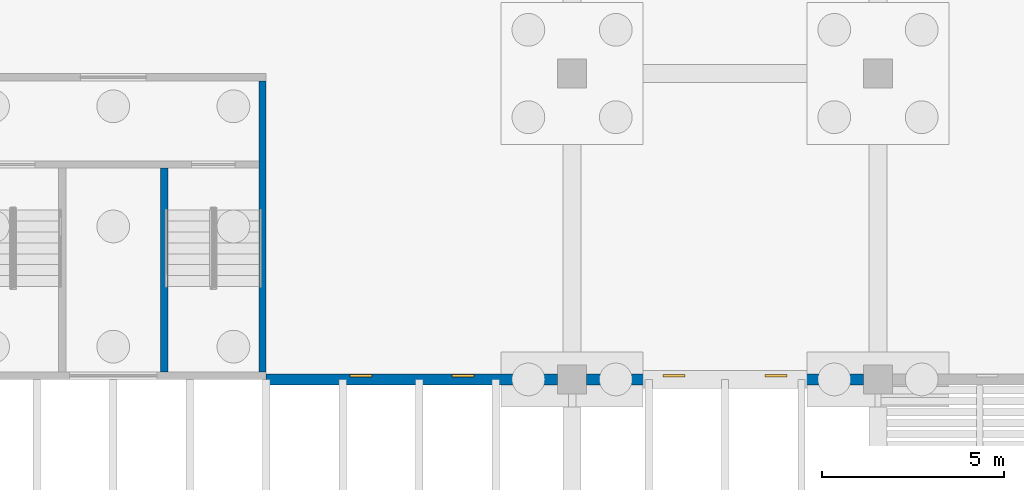
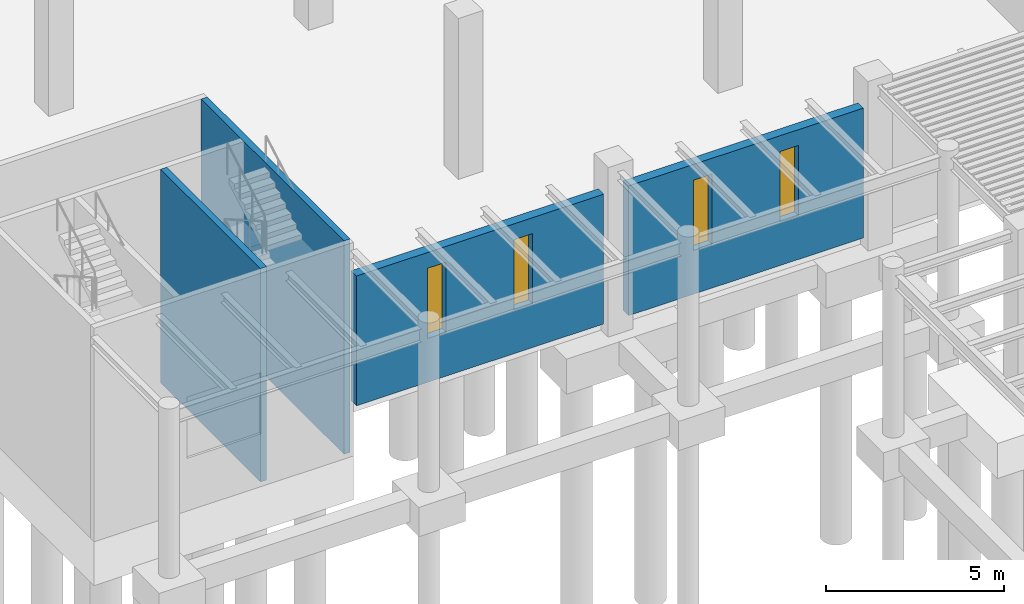
# One storey, part 31 of 82: 4 walls, 4 windows, 4 openings.
"""IFC4 building model written with IfcOpenShell, lengths in metres."""

from ifc_helpers import new_model, si_unit, direction, frame, frame_2d, origin, place, context, subcontext, project, spatial, rectangle, extrude, material, layer, layer_set, type_object, element, fill, save


model = new_model("IFC4")

# Units and contexts
model_context = context("Model", 3, precision=1e-05, world=origin(), true_north=direction((0.0, 1.0)))
body_context = subcontext(model_context, "Body", "Model", "MODEL_VIEW")
ifc_project = project(units=[si_unit("LENGTHUNIT", "METRE"), si_unit("AREAUNIT", "SQUARE_METRE"), si_unit("VOLUMEUNIT", "CUBIC_METRE"), si_unit("PLANEANGLEUNIT", "RADIAN"), si_unit("MASSUNIT", "GRAM", prefix="KILO")], contexts=[model_context])

# Site, building, storey
site_placement = place(None, origin())
site = spatial("IfcSite", under=ifc_project, at=site_placement, CompositionType="ELEMENT")
building_placement = place(site_placement, origin())
building = spatial("IfcBuilding", under=site, at=building_placement, Name="Almond Square Museum", CompositionType="ELEMENT")
storey_placement = place(building_placement, origin())
storey = spatial("IfcBuildingStorey", under=building, at=storey_placement, Name="L00", CompositionType="ELEMENT", Elevation=0.0)

# Wall, openings, windows
ifc_material_1 = material(Name="Concrete C30/37", Category="concrete")
ifc_layer_1 = layer(ifc_material_1, 0.300048828125)
ifc_layer_set_1 = layer_set([ifc_layer_1], Name="Concrete C30/37")
wall_type_1 = type_object("IfcWallType", Name="Cast concrete wall 300 C30/37 behind louvre skin", PredefinedType="SOLIDWALL", material=ifc_layer_set_1)
wall_1_placement = place(storey_placement, frame((115.199951171875, 50.39990234375, 0.0), z_axis=(0.0, 0.0, 1.0), x_axis=(1.0, 0.0, 0.0)))
wall_1 = element("IfcWall", 1, at=wall_1_placement, inside=storey, type_object=wall_type_1, Name="External wall W1 V1 L00 S01", PredefinedType="SOLIDWALL", context=body_context, shape_type="SweptSolid", body=[
    extrude(rectangle(XDim=8.0, YDim=0.300048828125, at=frame_2d((4.0, 0.0))), origin(), (0.0, 0.0, 1.0), 4.43994140625),
])
opening_1_placement = place(wall_1_placement, frame((2.300048828125, 0.0, 1.5)))
opening_1 = element("IfcOpeningElement", 2, at=opening_1_placement, cuts=wall_1, Name="Opening W0061", PredefinedType="OPENING", context=body_context, shape_type="SweptSolid", body=[
    extrude(rectangle(XDim=0.60009765625, YDim=2.39990234375, at=frame_2d((0.300048828125, 1.199951171875))), frame((0.0, 0.159912109375, 0.0), z_axis=(0.0, -1.0, 0.0), x_axis=(1.0, 0.0, 0.0)), (0.0, 0.0, 1.0), 0.320068359375),
])
opening_2_placement = place(wall_1_placement, frame((5.10009765625, 0.0, 1.5)))
opening_2 = element("IfcOpeningElement", 3, at=opening_2_placement, cuts=wall_1, Name="Opening W0062", PredefinedType="OPENING", context=body_context, shape_type="SweptSolid", body=[
    extrude(rectangle(XDim=0.60009765625, YDim=2.39990234375, at=frame_2d((0.300048828125, 1.199951171875))), frame((0.0, 0.159912109375, 0.0), z_axis=(0.0, -1.0, 0.0), x_axis=(1.0, 0.0, 0.0)), (0.0, 0.0, 1.0), 0.320068359375),
])
ifc_material_2 = material(Name="Anodised aluminium louvre and laminated glass", Category="aluminium")
window_type = type_object("IfcWindowType", Name="Slot window with storm louvre", PartitioningType="SINGLE_PANEL", PredefinedType="WINDOW", material=ifc_material_2)
window_1_placement = place(opening_1_placement, origin())
window_1 = element("IfcWindow", 4, at=window_1_placement, inside=storey, type_object=window_type, Name="Slot window with storm louvre W0061", OverallHeight=2.39990234375, OverallWidth=0.60009765625, PartitioningType="SINGLE_PANEL", PredefinedType="WINDOW", context=body_context, shape_type="SweptSolid", body=[
    extrude(rectangle(XDim=0.60009765625, YDim=2.39990234375, at=frame_2d((0.300048828125, 1.199951171875))), frame((0.0, 0.130126953125, 0.0), z_axis=(0.0, -1.0, 0.0), x_axis=(1.0, 0.0, 0.0)), (0.0, 0.0, 1.0), 0.06005859375),
])
fill(opening_1, window_1)
window_2_placement = place(opening_2_placement, origin())
window_2 = element("IfcWindow", 5, at=window_2_placement, inside=storey, type_object=window_type, Name="Slot window with storm louvre W0062", OverallHeight=2.39990234375, OverallWidth=0.60009765625, PartitioningType="SINGLE_PANEL", PredefinedType="WINDOW", context=body_context, shape_type="SweptSolid", body=[
    extrude(rectangle(XDim=0.60009765625, YDim=2.39990234375, at=frame_2d((0.300048828125, 1.199951171875))), frame((0.0, 0.130126953125, 0.0), z_axis=(0.0, -1.0, 0.0), x_axis=(1.0, 0.0, 0.0)), (0.0, 0.0, 1.0), 0.06005859375),
])
fill(opening_2, window_2)

wall_2_placement = place(storey_placement, frame((124.0, 50.39990234375, 0.0), z_axis=(0.0, 0.0, 1.0), x_axis=(1.0, 0.0, 0.0)))
wall_2 = element("IfcWall", 6, at=wall_2_placement, inside=storey, type_object=wall_type_1, Name="External wall W1 V1 L00 S02", PredefinedType="SOLIDWALL", context=body_context, shape_type="SweptSolid", body=[
    extrude(rectangle(XDim=7.60009765625, YDim=0.300048828125, at=frame_2d((3.800048828125, 0.0))), origin(), (0.0, 0.0, 1.0), 4.43994140625),
])
opening_3_placement = place(wall_2_placement, frame((2.10009765625, 0.0, 1.5)))
opening_3 = element("IfcOpeningElement", 7, at=opening_3_placement, cuts=wall_2, Name="Opening W0063", PredefinedType="OPENING", context=body_context, shape_type="SweptSolid", body=[
    extrude(rectangle(XDim=0.60009765625, YDim=2.39990234375, at=frame_2d((0.300048828125, 1.199951171875))), frame((0.0, 0.159912109375, 0.0), z_axis=(0.0, -1.0, 0.0), x_axis=(1.0, 0.0, 0.0)), (0.0, 0.0, 1.0), 0.320068359375),
])
opening_4_placement = place(wall_2_placement, frame((4.89990234375, 0.0, 1.5)))
opening_4 = element("IfcOpeningElement", 8, at=opening_4_placement, cuts=wall_2, Name="Opening W0064", PredefinedType="OPENING", context=body_context, shape_type="SweptSolid", body=[
    extrude(rectangle(XDim=0.60009765625, YDim=2.39990234375, at=frame_2d((0.300048828125, 1.199951171875))), frame((0.0, 0.159912109375, 0.0), z_axis=(0.0, -1.0, 0.0), x_axis=(1.0, 0.0, 0.0)), (0.0, 0.0, 1.0), 0.320068359375),
])
window_3_placement = place(opening_3_placement, origin())
window_3 = element("IfcWindow", 9, at=window_3_placement, inside=storey, type_object=window_type, Name="Slot window with storm louvre W0063", OverallHeight=2.39990234375, OverallWidth=0.60009765625, PartitioningType="SINGLE_PANEL", PredefinedType="WINDOW", context=body_context, shape_type="SweptSolid", body=[
    extrude(rectangle(XDim=0.60009765625, YDim=2.39990234375, at=frame_2d((0.300048828125, 1.199951171875))), frame((0.0, 0.130126953125, 0.0), z_axis=(0.0, -1.0, 0.0), x_axis=(1.0, 0.0, 0.0)), (0.0, 0.0, 1.0), 0.06005859375),
])
fill(opening_3, window_3)
window_4_placement = place(opening_4_placement, origin())
window_4 = element("IfcWindow", 10, at=window_4_placement, inside=storey, type_object=window_type, Name="Slot window with storm louvre W0064", OverallHeight=2.39990234375, OverallWidth=0.60009765625, PartitioningType="SINGLE_PANEL", PredefinedType="WINDOW", context=body_context, shape_type="SweptSolid", body=[
    extrude(rectangle(XDim=0.60009765625, YDim=2.39990234375, at=frame_2d((0.300048828125, 1.199951171875))), frame((0.0, 0.130126953125, 0.0), z_axis=(0.0, -1.0, 0.0), x_axis=(1.0, 0.0, 0.0)), (0.0, 0.0, 1.0), 0.06005859375),
])
fill(opening_4, window_4)

# Walls
ifc_material_3 = material(Name="Concrete C40/50", Category="concrete")
ifc_layer_2 = layer(ifc_material_3, 0.199951171875)
ifc_layer_set_2 = layer_set([ifc_layer_2], Name="Concrete C40/50")
wall_type_2 = type_object("IfcWallType", Name="RC shear wall 200 C40/50", PredefinedType="SHEAR", material=ifc_layer_set_2)
wall_3_placement = place(storey_placement, frame((115.10009765625, 50.60009765625, -1.800048828125), z_axis=(0.0, 0.0, 1.0), x_axis=(0.0, 1.0, 0.0)))
element("IfcWall", 11, at=wall_3_placement, inside=storey, type_object=wall_type_2, Name="Core H1 east wall L00", PredefinedType="SHEAR", context=body_context, shape_type="SweptSolid", body=[
    extrude(rectangle(XDim=8.0, YDim=0.199951171875, at=frame_2d((4.0, 0.0))), origin(), (0.0, 0.0, 1.0), 7.300048828125),
])
wall_4_placement = place(storey_placement, frame((112.39990234375, 50.60009765625, -1.800048828125), z_axis=(0.0, 0.0, 1.0), x_axis=(0.0, 1.0, 0.0)))
element("IfcWall", 12, at=wall_4_placement, inside=storey, type_object=wall_type_2, Name="Core H1 partition wall L00", PredefinedType="SHEAR", context=body_context, shape_type="SweptSolid", body=[
    extrude(rectangle(XDim=5.599853515625, YDim=0.199951171875, at=frame_2d((2.7998046875, 0.0))), origin(), (0.0, 0.0, 1.0), 7.300048828125),
])

save(model, "model.ifc")
